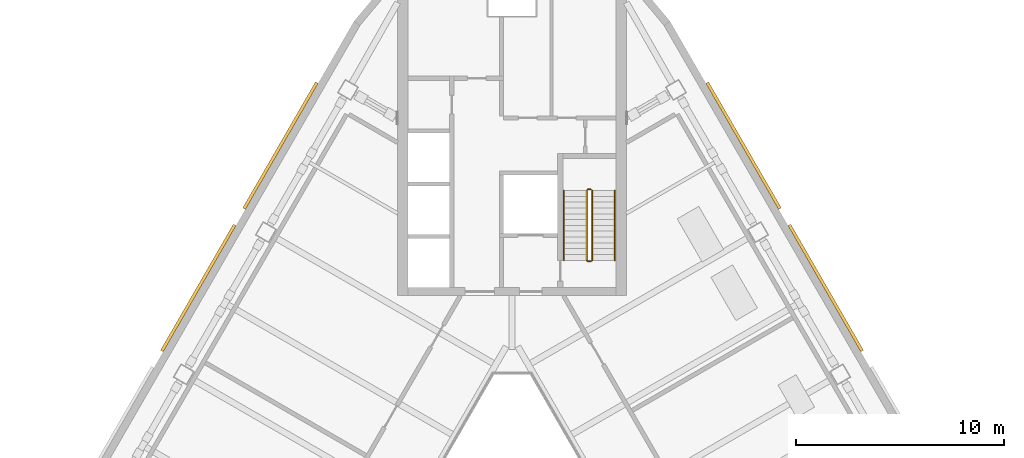
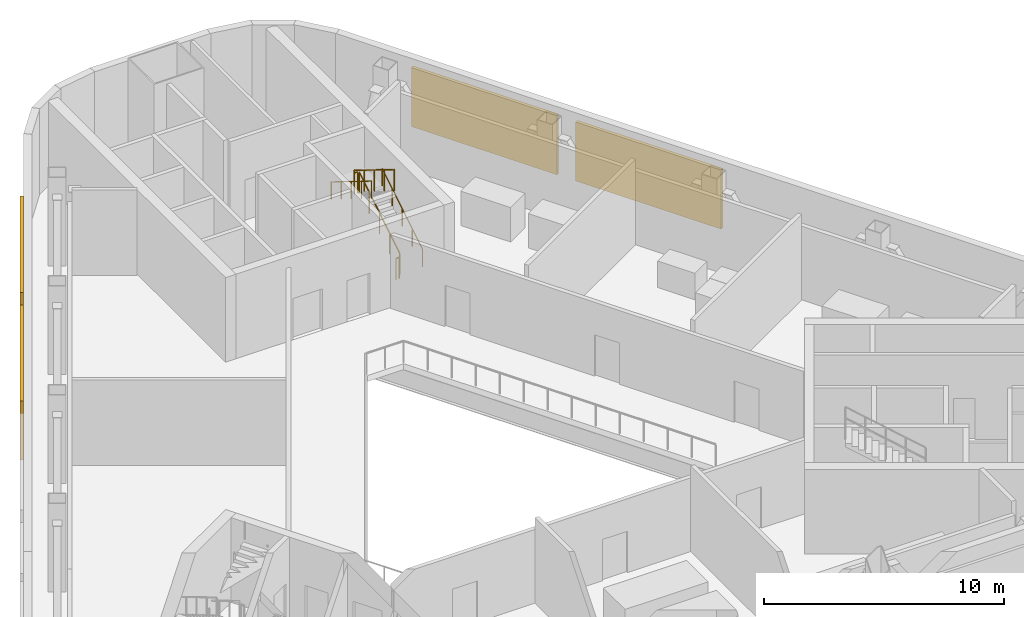
# One storey, part 13 of 14: 6 railings, 4 shading devices.
"""IFC4 building model written with IfcOpenShell, lengths in metres."""

from ifc_helpers import new_model, si_unit, direction, frame, origin, origin_2d, place, context, subcontext, project, spatial, rectangle, circle, extrude, material, type_object, element, save


model = new_model("IFC4")

# Units and contexts
model_context = context("Model", 3, precision=1e-05, world=origin(), true_north=direction((0.0, 1.0)))
body_context = subcontext(model_context, "Body", "Model", "MODEL_VIEW")
ifc_project = project(units=[si_unit("LENGTHUNIT", "METRE"), si_unit("AREAUNIT", "SQUARE_METRE"), si_unit("VOLUMEUNIT", "CUBIC_METRE"), si_unit("PLANEANGLEUNIT", "RADIAN"), si_unit("MASSUNIT", "GRAM", prefix="KILO")], contexts=[model_context])

# Site, building, storey
site_placement = place(None, origin())
site = spatial("IfcSite", under=ifc_project, at=site_placement, CompositionType="ELEMENT")
building_placement = place(site_placement, origin())
building = spatial("IfcBuilding", under=site, at=building_placement, Name="Apuvela Tower Hotel", CompositionType="ELEMENT")
storey_placement = place(building_placement, frame((0.0, 0.0, 242.199951171875)))
storey = spatial("IfcBuildingStorey", under=building, at=storey_placement, Name="L59 Plant", CompositionType="ELEMENT", Elevation=242.199951171875)

# Railings
ifc_material_1 = material(Name="Steel S275 balustrade", Category="steel")
railing_type_1 = type_object("IfcRailingType", Name="COR-GUARD-1100", PredefinedType="GUARDRAIL", material=ifc_material_1)
railing_1_placement = place(storey_placement, frame((3.85009765625, 14.60009765625, 0.173095703125)))
element("IfcRailing", 1, at=railing_1_placement, inside=storey, type_object=railing_type_1, Name="L59 Plant ST1 stair guard 1", PredefinedType="GUARDRAIL", context=body_context, shape_type="SweptSolid", body=[
    extrude(rectangle(XDim=0.048095703125, YDim=0.048095703125, at=origin_2d()), frame((0.0, 0.0, 1.076171875), z_axis=(0.0, 0.850606129759, 0.525803396734), x_axis=(-1.0, 0.0, 0.0)), (0.0, 0.0, 1.0), 3.949951171875),
    extrude(rectangle(XDim=0.0419921875, YDim=0.0419921875, at=origin_2d()), origin(), (0.0, 0.0, 1.0), 1.052001953125),
    extrude(rectangle(XDim=0.0419921875, YDim=0.0419921875, at=origin_2d()), frame((0.0, 0.83984375, 0.519287109375)), (0.0, 0.0, 1.0), 1.052001953125),
    extrude(rectangle(XDim=0.0419921875, YDim=0.0419921875, at=origin_2d()), frame((0.0, 1.679931640625, 1.03857421875)), (0.0, 0.0, 1.0), 1.052001953125),
    extrude(rectangle(XDim=0.0419921875, YDim=0.0419921875, at=origin_2d()), frame((0.0, 2.52001953125, 1.5576171875)), (0.0, 0.0, 1.0), 1.052001953125),
    extrude(rectangle(XDim=0.0419921875, YDim=0.0419921875, at=origin_2d()), frame((0.0, 3.35986328125, 2.076904296875)), (0.0, 0.0, 1.0), 1.052001953125),
])
railing_2_placement = place(storey_placement, frame((3.800048828125, 18.010009765625, 2.25)))
element("IfcRailing", 2, at=railing_2_placement, inside=storey, type_object=railing_type_1, Name="L59 Plant ST1 stair guard 2", PredefinedType="GUARDRAIL", context=body_context, shape_type="SweptSolid", body=[
    extrude(rectangle(XDim=0.048095703125, YDim=0.048095703125, at=origin_2d()), frame((0.0, 0.0, 1.076171875), z_axis=(-1.0, 0.0, 0.0), x_axis=(0.0, -1.0, 0.0)), (0.0, 0.0, 1.0), 0.150146484375),
    extrude(rectangle(XDim=0.0419921875, YDim=0.0419921875, at=origin_2d()), origin(), (0.0, 0.0, 1.0), 1.052001953125),
    extrude(rectangle(XDim=0.0419921875, YDim=0.0419921875, at=origin_2d()), frame((-0.150146484375, 0.0, 0.0)), (0.0, 0.0, 1.0), 1.052001953125),
])
railing_3_placement = place(storey_placement, frame((3.60009765625, 17.9599609375, 2.423095703125)))
element("IfcRailing", 3, at=railing_3_placement, inside=storey, type_object=railing_type_1, Name="L59 Plant ST1 stair guard 3", PredefinedType="GUARDRAIL", context=body_context, shape_type="SweptSolid", body=[
    extrude(rectangle(XDim=0.048095703125, YDim=0.048095703125, at=origin_2d()), frame((0.0, 0.0, 1.076171875), z_axis=(0.0, -0.850606129759, 0.525803396734), x_axis=(1.0, 0.0, 0.0)), (0.0, 0.0, 1.0), 3.949951171875),
    extrude(rectangle(XDim=0.0419921875, YDim=0.0419921875, at=origin_2d()), origin(), (0.0, 0.0, 1.0), 1.052001953125),
    extrude(rectangle(XDim=0.0419921875, YDim=0.0419921875, at=origin_2d()), frame((0.0, -0.83984375, 0.519287109375)), (0.0, 0.0, 1.0), 1.052001953125),
    extrude(rectangle(XDim=0.0419921875, YDim=0.0419921875, at=origin_2d()), frame((0.0, -1.679931640625, 1.03857421875)), (0.0, 0.0, 1.0), 1.052001953125),
    extrude(rectangle(XDim=0.0419921875, YDim=0.0419921875, at=origin_2d()), frame((0.0, -2.52001953125, 1.5576171875)), (0.0, 0.0, 1.0), 1.052001953125),
    extrude(rectangle(XDim=0.0419921875, YDim=0.0419921875, at=origin_2d()), frame((0.0, -3.35986328125, 2.076904296875)), (0.0, 0.0, 1.0), 1.052001953125),
])
railing_4_placement = place(storey_placement, frame((3.800048828125, 14.550048828125, 0.0)))
element("IfcRailing", 4, at=railing_4_placement, inside=storey, type_object=railing_type_1, Name="L59 Plant ST1 stair guard 4", PredefinedType="GUARDRAIL", context=body_context, shape_type="SweptSolid", body=[
    extrude(rectangle(XDim=0.048095703125, YDim=0.048095703125, at=origin_2d()), frame((0.0, 0.0, 1.076171875), z_axis=(-1.0, 0.0, 0.0), x_axis=(0.0, -1.0, 0.0)), (0.0, 0.0, 1.0), 0.150146484375),
    extrude(rectangle(XDim=0.0419921875, YDim=0.0419921875, at=origin_2d()), origin(), (0.0, 0.0, 1.0), 1.052001953125),
    extrude(rectangle(XDim=0.0419921875, YDim=0.0419921875, at=origin_2d()), frame((-0.150146484375, 0.0, 0.0)), (0.0, 0.0, 1.0), 1.052001953125),
])
ifc_material_2 = material(Name="Stainless steel 316 handrail", Category="steel")
railing_type_2 = type_object("IfcRailingType", Name="COR-HANDRAIL-900", PredefinedType="HANDRAIL", material=ifc_material_2)
railing_5_placement = place(storey_placement, frame((4.949951171875, 14.60009765625, 0.173095703125)))
element("IfcRailing", 5, at=railing_5_placement, inside=storey, type_object=railing_type_2, Name="L59 Plant ST1 stair handrail 1", PredefinedType="HANDRAIL", context=body_context, shape_type="SweptSolid", body=[
    extrude(circle(Radius=0.02392578125, at=origin_2d()), frame((0.0, 0.0, 0.8759765625), z_axis=(0.0, 0.850606129759, 0.525803396734), x_axis=(-1.0, 0.0, 0.0)), (0.0, 0.0, 1.0), 3.949951171875),
    extrude(rectangle(XDim=0.0419921875, YDim=0.0419921875, at=origin_2d()), origin(), (0.0, 0.0, 1.0), 0.851806640625),
    extrude(rectangle(XDim=0.0419921875, YDim=0.0419921875, at=origin_2d()), frame((0.0, 0.83984375, 0.519287109375)), (0.0, 0.0, 1.0), 0.851806640625),
    extrude(rectangle(XDim=0.0419921875, YDim=0.0419921875, at=origin_2d()), frame((0.0, 1.679931640625, 1.03857421875)), (0.0, 0.0, 1.0), 0.851806640625),
    extrude(rectangle(XDim=0.0419921875, YDim=0.0419921875, at=origin_2d()), frame((0.0, 2.52001953125, 1.5576171875)), (0.0, 0.0, 1.0), 0.851806640625),
    extrude(rectangle(XDim=0.0419921875, YDim=0.0419921875, at=origin_2d()), frame((0.0, 3.35986328125, 2.076904296875)), (0.0, 0.0, 1.0), 0.851806640625),
])
railing_6_placement = place(storey_placement, frame((2.5, 17.9599609375, 2.423095703125)))
element("IfcRailing", 6, at=railing_6_placement, inside=storey, type_object=railing_type_2, Name="L59 Plant ST1 stair handrail 2", PredefinedType="HANDRAIL", context=body_context, shape_type="SweptSolid", body=[
    extrude(circle(Radius=0.02392578125, at=origin_2d()), frame((0.0, 0.0, 0.8759765625), z_axis=(0.0, -0.850606129759, 0.525803396734), x_axis=(1.0, 0.0, 0.0)), (0.0, 0.0, 1.0), 3.949951171875),
    extrude(rectangle(XDim=0.0419921875, YDim=0.0419921875, at=origin_2d()), origin(), (0.0, 0.0, 1.0), 0.851806640625),
    extrude(rectangle(XDim=0.0419921875, YDim=0.0419921875, at=origin_2d()), frame((0.0, -0.83984375, 0.519287109375)), (0.0, 0.0, 1.0), 0.851806640625),
    extrude(rectangle(XDim=0.0419921875, YDim=0.0419921875, at=origin_2d()), frame((0.0, -1.679931640625, 1.03857421875)), (0.0, 0.0, 1.0), 0.851806640625),
    extrude(rectangle(XDim=0.0419921875, YDim=0.0419921875, at=origin_2d()), frame((0.0, -2.52001953125, 1.5576171875)), (0.0, 0.0, 1.0), 0.851806640625),
    extrude(rectangle(XDim=0.0419921875, YDim=0.0419921875, at=origin_2d()), frame((0.0, -3.35986328125, 2.076904296875)), (0.0, 0.0, 1.0), 0.851806640625),
])

# Shading devices
ifc_material_3 = material(Name="Aluminium 6063-T6, black anodised louvre blades", Category="aluminium")
shading_device_type = type_object("IfcShadingDeviceType", Name="ENV-LOUVRE-SCREEN", PredefinedType="USERDEFINED", material=ifc_material_3)
for number, where, z_axis, x_axis, name in (
    (7, (15.090087890625, 13.273193359375, 0.60009765625), (0.0, 0.0, 1.0), (-0.5, 0.866025403784, 0.0), "Plant louvre NE7"),
    (8, (11.14013671875, 20.114990234375, 0.60009765625), (0.0, 0.0, 1.0), (-0.5, 0.866025403784, 0.0), "Plant louvre NE8"),
    (9, (-11.139892578125, 20.114990234375, 0.60009765625), (0.0, 0.0, 1.0), (-0.5, -0.866025403784, 0.0), "Plant louvre NW9"),
    (10, (-15.090087890625, 13.273193359375, 0.60009765625), (0.0, 0.0, 1.0), (-0.5, -0.866025403784, 0.0), "Plant louvre NW10"),
):
    element("IfcShadingDevice", number, at=place(storey_placement, frame(where, z_axis=z_axis, x_axis=x_axis)), inside=storey, type_object=shading_device_type, Name=name, ObjectType="LOUVRE", PredefinedType="USERDEFINED", context=body_context, shape_type="SweptSolid", body=[
        extrude(rectangle(XDim=7.0, YDim=0.14990234375, at=origin_2d()), origin(), (0.0, 0.0, 1.0), 3.0),
    ])

save(model, "model.ifc")
